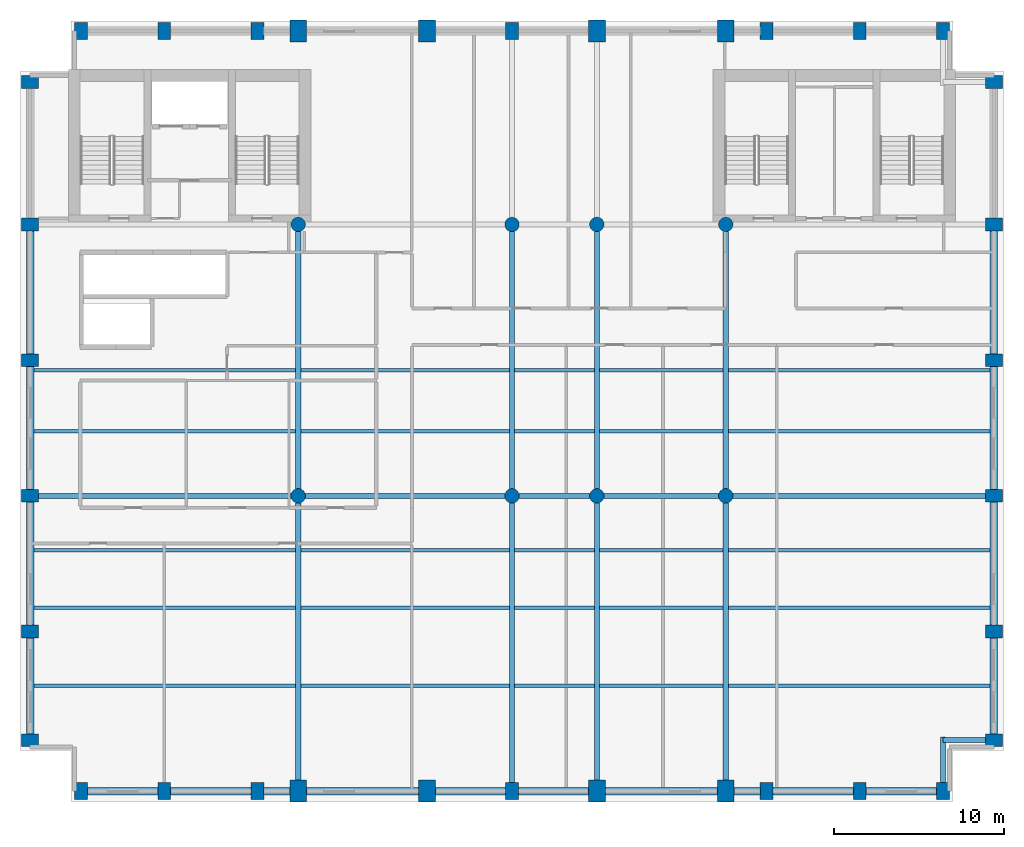
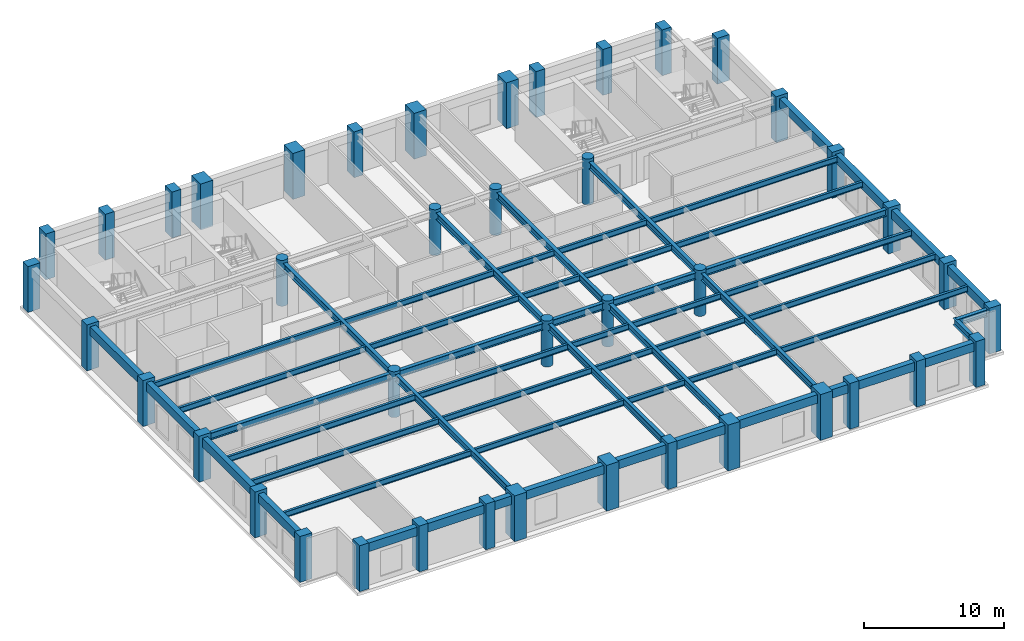
# One storey, part 1 of 8: 58 beams, 42 columns.
"""IFC4 building model written with IfcOpenShell, lengths in metres."""

from ifc_helpers import new_model, si_unit, direction, frame, origin, origin_2d, place, context, subcontext, project, spatial, rectangle, circle, i_section, extrude, material, material_profile, profile_set, type_object, element, save


model = new_model("IFC4")

# Units and contexts
model_context = context("Model", 3, precision=1e-05, world=origin(), true_north=direction((0.0, 1.0)))
body_context = subcontext(model_context, "Body", "Model", "MODEL_VIEW")
ifc_project = project(units=[si_unit("LENGTHUNIT", "METRE"), si_unit("AREAUNIT", "SQUARE_METRE"), si_unit("VOLUMEUNIT", "CUBIC_METRE"), si_unit("PLANEANGLEUNIT", "RADIAN"), si_unit("MASSUNIT", "GRAM", prefix="KILO")], contexts=[model_context])

# Site, building, storey
site_placement = place(None, origin())
site = spatial("IfcSite", under=ifc_project, at=site_placement, CompositionType="ELEMENT")
building_placement = place(site_placement, origin())
building = spatial("IfcBuilding", under=site, at=building_placement, Name="Sulina Concourse Tower", CompositionType="ELEMENT")
storey_placement = place(building_placement, frame((0.0, 0.0, 222.60009765625)))
storey = spatial("IfcBuildingStorey", under=building, at=storey_placement, Name="L54", CompositionType="ELEMENT", Elevation=222.60009765625)

# Columns
ifc_material_1 = material(Name="Precast concrete C50/60", Category="concrete")
ifc_material_profile_1 = material_profile(ifc_material_1, rectangle(XDim=0.75, YDim=1.0, at=origin_2d()), Name="PC 750x1000")
ifc_profile_set_1 = profile_set([ifc_material_profile_1], Name="Precast concrete C50/60")
column_type_1 = type_object("IfcColumnType", Name="Precast Tube Pier Zone 4 750x1000", PredefinedType="COLUMN", material=ifc_profile_set_1)
for number, where, z_axis, x_axis, name in (
    (1, (3.60009765625, 0.60009765625, 0.0), (0.0, 0.0, 1.0), (1.0, 0.0, 0.0), "L54 structural column TP-S-36"),
    (2, (3.60009765625, 45.39990234375, 0.0), (0.0, 0.0, 1.0), (1.0, 0.0, 0.0), "L54 structural column TP-N-36"),
    (3, (8.5, 0.60009765625, 0.0), (0.0, 0.0, 1.0), (1.0, 0.0, 0.0), "L54 structural column TP-S-85"),
    (4, (8.5, 45.39990234375, 0.0), (0.0, 0.0, 1.0), (1.0, 0.0, 0.0), "L54 structural column TP-N-85"),
    (5, (14.0, 0.60009765625, 0.0), (0.0, 0.0, 1.0), (1.0, 0.0, 0.0), "L54 structural column TP-S-140"),
    (6, (14.0, 45.39990234375, 0.0), (0.0, 0.0, 1.0), (1.0, 0.0, 0.0), "L54 structural column TP-N-140"),
    (7, (29.0, 0.60009765625, 0.0), (0.0, 0.0, 1.0), (1.0, 0.0, 0.0), "L54 structural column TP-S-290"),
    (8, (29.0, 45.39990234375, 0.0), (0.0, 0.0, 1.0), (1.0, 0.0, 0.0), "L54 structural column TP-N-290"),
    (9, (44.0, 0.60009765625, 0.0), (0.0, 0.0, 1.0), (1.0, 0.0, 0.0), "L54 structural column TP-S-440"),
    (10, (44.0, 45.39990234375, 0.0), (0.0, 0.0, 1.0), (1.0, 0.0, 0.0), "L54 structural column TP-N-440"),
    (11, (49.5, 0.60009765625, 0.0), (0.0, 0.0, 1.0), (1.0, 0.0, 0.0), "L54 structural column TP-S-495"),
    (12, (49.5, 45.39990234375, 0.0), (0.0, 0.0, 1.0), (1.0, 0.0, 0.0), "L54 structural column TP-N-495"),
    (13, (54.39990234375, 0.60009765625, 0.0), (0.0, 0.0, 1.0), (1.0, 0.0, 0.0), "L54 structural column TP-S-544"),
    (14, (54.39990234375, 45.39990234375, 0.0), (0.0, 0.0, 1.0), (1.0, 0.0, 0.0), "L54 structural column TP-N-544"),
    (15, (0.60009765625, 3.60009765625, 0.0), (0.0, 0.0, 1.0), (0.0, 1.0, 0.0), "L54 structural column TP-W-36"),
    (16, (57.39990234375, 3.60009765625, 0.0), (0.0, 0.0, 1.0), (0.0, 1.0, 0.0), "L54 structural column TP-E-36"),
    (17, (0.60009765625, 10.0, 0.0), (0.0, 0.0, 1.0), (0.0, 1.0, 0.0), "L54 structural column TP-W-100"),
    (18, (57.39990234375, 10.0, 0.0), (0.0, 0.0, 1.0), (0.0, 1.0, 0.0), "L54 structural column TP-E-100"),
    (19, (0.60009765625, 18.0, 0.0), (0.0, 0.0, 1.0), (0.0, 1.0, 0.0), "L54 structural column TP-W-180"),
    (20, (57.39990234375, 18.0, 0.0), (0.0, 0.0, 1.0), (0.0, 1.0, 0.0), "L54 structural column TP-E-180"),
    (21, (0.60009765625, 26.0, 0.0), (0.0, 0.0, 1.0), (0.0, 1.0, 0.0), "L54 structural column TP-W-260"),
    (22, (57.39990234375, 26.0, 0.0), (0.0, 0.0, 1.0), (0.0, 1.0, 0.0), "L54 structural column TP-E-260"),
    (23, (0.60009765625, 34.0, 0.0), (0.0, 0.0, 1.0), (0.0, 1.0, 0.0), "L54 structural column TP-W-340"),
    (24, (57.39990234375, 34.0, 0.0), (0.0, 0.0, 1.0), (0.0, 1.0, 0.0), "L54 structural column TP-E-340"),
    (25, (0.60009765625, 42.39990234375, 0.0), (0.0, 0.0, 1.0), (0.0, 1.0, 0.0), "L54 structural column TP-W-424"),
    (26, (57.39990234375, 42.39990234375, 0.0), (0.0, 0.0, 1.0), (0.0, 1.0, 0.0), "L54 structural column TP-E-424"),
):
    element("IfcColumn", number, at=place(storey_placement, frame(where, z_axis=z_axis, x_axis=x_axis)), inside=storey, type_object=column_type_1, Name=name, PredefinedType="COLUMN", context=body_context, shape_type="SweptSolid", body=[
        extrude(rectangle(XDim=0.75, YDim=1.0, at=origin_2d()), origin(), (0.0, 0.0, 1.0), 4.0),
    ])
ifc_material_2 = material(Name="Concrete C50/60", Category="concrete")
ifc_material_profile_2 = material_profile(ifc_material_2, circle(Radius=0.425048828125, at=origin_2d()), Name="RC D850")
ifc_profile_set_2 = profile_set([ifc_material_profile_2], Name="Concrete C50/60")
column_type_2 = type_object("IfcColumnType", Name="Upper Interior Circular Column D850", PredefinedType="COLUMN", material=ifc_profile_set_2)
for number, where, z_axis, x_axis, name in (
    (27, (16.39990234375, 18.0, 0.0), (0.0, 0.0, 1.0), (1.0, 0.0, 0.0), "L54 structural column IC-M-164"),
    (28, (16.39990234375, 34.0, 0.0), (0.0, 0.0, 1.0), (1.0, 0.0, 0.0), "L54 structural column IC-N-164"),
    (29, (29.0, 18.0, 0.0), (0.0, 0.0, 1.0), (1.0, 0.0, 0.0), "L54 structural column IC-M-290"),
    (30, (29.0, 34.0, 0.0), (0.0, 0.0, 1.0), (1.0, 0.0, 0.0), "L54 structural column IC-N-290"),
    (31, (41.60009765625, 18.0, 0.0), (0.0, 0.0, 1.0), (1.0, 0.0, 0.0), "L54 structural column IC-M-416"),
    (32, (41.60009765625, 34.0, 0.0), (0.0, 0.0, 1.0), (1.0, 0.0, 0.0), "L54 structural column IC-N-416"),
    (33, (34.0, 18.0, 0.0), (0.0, 0.0, 1.0), (1.0, 0.0, 0.0), "L54 structural column IC-M-340"),
    (34, (34.0, 34.0, 0.0), (0.0, 0.0, 1.0), (1.0, 0.0, 0.0), "L54 structural column IC-N-340"),
):
    element("IfcColumn", number, at=place(storey_placement, frame(where, z_axis=z_axis, x_axis=x_axis)), inside=storey, type_object=column_type_2, Name=name, PredefinedType="COLUMN", context=body_context, shape_type="SweptSolid", body=[
        extrude(circle(Radius=0.425048828125, at=origin_2d()), origin(), (0.0, 0.0, 1.0), 4.0),
    ])
ifc_material_3 = material(Name="Concrete C60/75", Category="concrete")
ifc_material_profile_3 = material_profile(ifc_material_3, rectangle(XDim=1.0, YDim=1.300048828125, at=origin_2d()), Name="RC 1000x1300")
ifc_profile_set_3 = profile_set([ifc_material_profile_3], Name="Concrete C60/75")
column_type_3 = type_object("IfcColumnType", Name="Upper Portal Column 1000x1300", PredefinedType="COLUMN", material=ifc_profile_set_3)
for number, where, z_axis, x_axis, name in (
    (35, (16.39990234375, 0.60009765625, 0.0), (0.0, 0.0, 1.0), (1.0, 0.0, 0.0), "L54 structural column TP-S-164"),
    (36, (16.39990234375, 45.39990234375, 0.0), (0.0, 0.0, 1.0), (1.0, 0.0, 0.0), "L54 structural column TP-N-164"),
    (37, (24.0, 0.60009765625, 0.0), (0.0, 0.0, 1.0), (1.0, 0.0, 0.0), "L54 structural column TP-S-240"),
    (38, (24.0, 45.39990234375, 0.0), (0.0, 0.0, 1.0), (1.0, 0.0, 0.0), "L54 structural column TP-N-240"),
    (39, (34.0, 0.60009765625, 0.0), (0.0, 0.0, 1.0), (1.0, 0.0, 0.0), "L54 structural column TP-S-340"),
    (40, (34.0, 45.39990234375, 0.0), (0.0, 0.0, 1.0), (1.0, 0.0, 0.0), "L54 structural column TP-N-340"),
    (41, (41.60009765625, 0.60009765625, 0.0), (0.0, 0.0, 1.0), (1.0, 0.0, 0.0), "L54 structural column TP-S-416"),
    (42, (41.60009765625, 45.39990234375, 0.0), (0.0, 0.0, 1.0), (1.0, 0.0, 0.0), "L54 structural column TP-N-416"),
):
    element("IfcColumn", number, at=place(storey_placement, frame(where, z_axis=z_axis, x_axis=x_axis)), inside=storey, type_object=column_type_3, Name=name, PredefinedType="COLUMN", context=body_context, shape_type="SweptSolid", body=[
        extrude(rectangle(XDim=1.0, YDim=1.300048828125, at=origin_2d()), origin(), (0.0, 0.0, 1.0), 4.0),
    ])

# Beams
ifc_material_4 = material(Name="Steel S355", Category="steel")
ifc_material_profile_4 = material_profile(ifc_material_4, i_section(OverallWidth=0.199951171875, OverallDepth=0.5, WebThickness=0.01025390625, FlangeThickness=0.01611328125, at=origin_2d()), Name="IPE 500")
ifc_profile_set_4 = profile_set([ifc_material_profile_4], Name="Steel S355")
beam_type_1 = type_object("IfcBeamType", Name="Composite Floor Joist IPE500", PredefinedType="JOIST", material=ifc_profile_set_4)
beam_1_placement = place(storey_placement, frame((0.824951171875, 6.800048828125, 3.5), z_axis=(1.0, 0.0, 0.0), x_axis=(0.0, 1.0, 0.0)))
element("IfcBeam", 43, at=beam_1_placement, inside=storey, type_object=beam_type_1, Name="FJ-J06-1-L54", PredefinedType="JOIST", context=body_context, shape_type="SweptSolid", body=[
    extrude(i_section(OverallWidth=0.199951171875, OverallDepth=0.5, WebThickness=0.01025390625, FlangeThickness=0.01611328125, at=origin_2d()), origin(), (0.0, 0.0, 1.0), 15.425048828125),
])
beam_2_placement = place(storey_placement, frame((16.550048828125, 6.800048828125, 3.5), z_axis=(1.0, 0.0, 0.0), x_axis=(0.0, 1.0, 0.0)))
element("IfcBeam", 44, at=beam_2_placement, inside=storey, type_object=beam_type_1, Name="FJ-J06-2-L54", PredefinedType="JOIST", context=body_context, shape_type="SweptSolid", body=[
    extrude(i_section(OverallWidth=0.199951171875, OverallDepth=0.5, WebThickness=0.01025390625, FlangeThickness=0.01611328125, at=origin_2d()), origin(), (0.0, 0.0, 1.0), 12.300048828125),
])
beam_3_placement = place(storey_placement, frame((29.14990234375, 6.800048828125, 3.5), z_axis=(1.0, 0.0, 0.0), x_axis=(0.0, 1.0, 0.0)))
element("IfcBeam", 45, at=beam_3_placement, inside=storey, type_object=beam_type_1, Name="FJ-J06-3-L54", PredefinedType="JOIST", context=body_context, shape_type="SweptSolid", body=[
    extrude(i_section(OverallWidth=0.199951171875, OverallDepth=0.5, WebThickness=0.01025390625, FlangeThickness=0.01611328125, at=origin_2d()), origin(), (0.0, 0.0, 1.0), 4.7001953125),
])
beam_4_placement = place(storey_placement, frame((34.14990234375, 6.800048828125, 3.5), z_axis=(1.0, 0.0, 0.0), x_axis=(0.0, 1.0, 0.0)))
element("IfcBeam", 46, at=beam_4_placement, inside=storey, type_object=beam_type_1, Name="FJ-J06-4-L54", PredefinedType="JOIST", context=body_context, shape_type="SweptSolid", body=[
    extrude(i_section(OverallWidth=0.199951171875, OverallDepth=0.5, WebThickness=0.01025390625, FlangeThickness=0.01611328125, at=origin_2d()), origin(), (0.0, 0.0, 1.0), 7.300048828125),
])
for number, where, z_axis, x_axis, name in (
    (47, (41.75, 6.800048828125, 3.5), (1.0, 0.0, 0.0), (0.0, 1.0, 0.0), "FJ-J06-5-L54"),
    (48, (0.824951171875, 11.39990234375, 3.5), (1.0, 0.0, 0.0), (0.0, 1.0, 0.0), "FJ-J11-1-L54"),
):
    element("IfcBeam", number, at=place(storey_placement, frame(where, z_axis=z_axis, x_axis=x_axis)), inside=storey, type_object=beam_type_1, Name=name, PredefinedType="JOIST", context=body_context, shape_type="SweptSolid", body=[
        extrude(i_section(OverallWidth=0.199951171875, OverallDepth=0.5, WebThickness=0.01025390625, FlangeThickness=0.01611328125, at=origin_2d()), origin(), (0.0, 0.0, 1.0), 15.425048828125),
    ])
beam_5_placement = place(storey_placement, frame((16.550048828125, 11.39990234375, 3.5), z_axis=(1.0, 0.0, 0.0), x_axis=(0.0, 1.0, 0.0)))
element("IfcBeam", 49, at=beam_5_placement, inside=storey, type_object=beam_type_1, Name="FJ-J11-2-L54", PredefinedType="JOIST", context=body_context, shape_type="SweptSolid", body=[
    extrude(i_section(OverallWidth=0.199951171875, OverallDepth=0.5, WebThickness=0.01025390625, FlangeThickness=0.01611328125, at=origin_2d()), origin(), (0.0, 0.0, 1.0), 12.300048828125),
])
beam_6_placement = place(storey_placement, frame((29.14990234375, 11.39990234375, 3.5), z_axis=(1.0, 0.0, 0.0), x_axis=(0.0, 1.0, 0.0)))
element("IfcBeam", 50, at=beam_6_placement, inside=storey, type_object=beam_type_1, Name="FJ-J11-3-L54", PredefinedType="JOIST", context=body_context, shape_type="SweptSolid", body=[
    extrude(i_section(OverallWidth=0.199951171875, OverallDepth=0.5, WebThickness=0.01025390625, FlangeThickness=0.01611328125, at=origin_2d()), origin(), (0.0, 0.0, 1.0), 4.7001953125),
])
beam_7_placement = place(storey_placement, frame((34.14990234375, 11.39990234375, 3.5), z_axis=(1.0, 0.0, 0.0), x_axis=(0.0, 1.0, 0.0)))
element("IfcBeam", 51, at=beam_7_placement, inside=storey, type_object=beam_type_1, Name="FJ-J11-4-L54", PredefinedType="JOIST", context=body_context, shape_type="SweptSolid", body=[
    extrude(i_section(OverallWidth=0.199951171875, OverallDepth=0.5, WebThickness=0.01025390625, FlangeThickness=0.01611328125, at=origin_2d()), origin(), (0.0, 0.0, 1.0), 7.300048828125),
])
for number, where, z_axis, x_axis, name in (
    (52, (41.75, 11.39990234375, 3.5), (1.0, 0.0, 0.0), (0.0, 1.0, 0.0), "FJ-J11-5-L54"),
    (53, (0.824951171875, 14.800048828125, 3.5), (1.0, 0.0, 0.0), (0.0, 1.0, 0.0), "FJ-J15-1-L54"),
):
    element("IfcBeam", number, at=place(storey_placement, frame(where, z_axis=z_axis, x_axis=x_axis)), inside=storey, type_object=beam_type_1, Name=name, PredefinedType="JOIST", context=body_context, shape_type="SweptSolid", body=[
        extrude(i_section(OverallWidth=0.199951171875, OverallDepth=0.5, WebThickness=0.01025390625, FlangeThickness=0.01611328125, at=origin_2d()), origin(), (0.0, 0.0, 1.0), 15.425048828125),
    ])
beam_8_placement = place(storey_placement, frame((16.550048828125, 14.800048828125, 3.5), z_axis=(1.0, 0.0, 0.0), x_axis=(0.0, 1.0, 0.0)))
element("IfcBeam", 54, at=beam_8_placement, inside=storey, type_object=beam_type_1, Name="FJ-J15-2-L54", PredefinedType="JOIST", context=body_context, shape_type="SweptSolid", body=[
    extrude(i_section(OverallWidth=0.199951171875, OverallDepth=0.5, WebThickness=0.01025390625, FlangeThickness=0.01611328125, at=origin_2d()), origin(), (0.0, 0.0, 1.0), 12.300048828125),
])
beam_9_placement = place(storey_placement, frame((29.14990234375, 14.800048828125, 3.5), z_axis=(1.0, 0.0, 0.0), x_axis=(0.0, 1.0, 0.0)))
element("IfcBeam", 55, at=beam_9_placement, inside=storey, type_object=beam_type_1, Name="FJ-J15-3-L54", PredefinedType="JOIST", context=body_context, shape_type="SweptSolid", body=[
    extrude(i_section(OverallWidth=0.199951171875, OverallDepth=0.5, WebThickness=0.01025390625, FlangeThickness=0.01611328125, at=origin_2d()), origin(), (0.0, 0.0, 1.0), 4.7001953125),
])
beam_10_placement = place(storey_placement, frame((34.14990234375, 14.800048828125, 3.5), z_axis=(1.0, 0.0, 0.0), x_axis=(0.0, 1.0, 0.0)))
element("IfcBeam", 56, at=beam_10_placement, inside=storey, type_object=beam_type_1, Name="FJ-J15-4-L54", PredefinedType="JOIST", context=body_context, shape_type="SweptSolid", body=[
    extrude(i_section(OverallWidth=0.199951171875, OverallDepth=0.5, WebThickness=0.01025390625, FlangeThickness=0.01611328125, at=origin_2d()), origin(), (0.0, 0.0, 1.0), 7.300048828125),
])
for number, where, z_axis, x_axis, name in (
    (57, (41.75, 14.800048828125, 3.5), (1.0, 0.0, 0.0), (0.0, 1.0, 0.0), "FJ-J15-5-L54"),
    (58, (0.824951171875, 21.800048828125, 3.5), (1.0, 0.0, 0.0), (0.0, 1.0, 0.0), "FJ-J22-1-L54"),
):
    element("IfcBeam", number, at=place(storey_placement, frame(where, z_axis=z_axis, x_axis=x_axis)), inside=storey, type_object=beam_type_1, Name=name, PredefinedType="JOIST", context=body_context, shape_type="SweptSolid", body=[
        extrude(i_section(OverallWidth=0.199951171875, OverallDepth=0.5, WebThickness=0.01025390625, FlangeThickness=0.01611328125, at=origin_2d()), origin(), (0.0, 0.0, 1.0), 15.425048828125),
    ])
beam_11_placement = place(storey_placement, frame((16.550048828125, 21.800048828125, 3.5), z_axis=(1.0, 0.0, 0.0), x_axis=(0.0, 1.0, 0.0)))
element("IfcBeam", 59, at=beam_11_placement, inside=storey, type_object=beam_type_1, Name="FJ-J22-2-L54", PredefinedType="JOIST", context=body_context, shape_type="SweptSolid", body=[
    extrude(i_section(OverallWidth=0.199951171875, OverallDepth=0.5, WebThickness=0.01025390625, FlangeThickness=0.01611328125, at=origin_2d()), origin(), (0.0, 0.0, 1.0), 12.300048828125),
])
beam_12_placement = place(storey_placement, frame((29.14990234375, 21.800048828125, 3.5), z_axis=(1.0, 0.0, 0.0), x_axis=(0.0, 1.0, 0.0)))
element("IfcBeam", 60, at=beam_12_placement, inside=storey, type_object=beam_type_1, Name="FJ-J22-3-L54", PredefinedType="JOIST", context=body_context, shape_type="SweptSolid", body=[
    extrude(i_section(OverallWidth=0.199951171875, OverallDepth=0.5, WebThickness=0.01025390625, FlangeThickness=0.01611328125, at=origin_2d()), origin(), (0.0, 0.0, 1.0), 4.7001953125),
])
beam_13_placement = place(storey_placement, frame((34.14990234375, 21.800048828125, 3.5), z_axis=(1.0, 0.0, 0.0), x_axis=(0.0, 1.0, 0.0)))
element("IfcBeam", 61, at=beam_13_placement, inside=storey, type_object=beam_type_1, Name="FJ-J22-4-L54", PredefinedType="JOIST", context=body_context, shape_type="SweptSolid", body=[
    extrude(i_section(OverallWidth=0.199951171875, OverallDepth=0.5, WebThickness=0.01025390625, FlangeThickness=0.01611328125, at=origin_2d()), origin(), (0.0, 0.0, 1.0), 7.300048828125),
])
for number, where, z_axis, x_axis, name in (
    (62, (41.75, 21.800048828125, 3.5), (1.0, 0.0, 0.0), (0.0, 1.0, 0.0), "FJ-J22-5-L54"),
    (63, (0.824951171875, 25.39990234375, 3.5), (1.0, 0.0, 0.0), (0.0, 1.0, 0.0), "FJ-J25-1-L54"),
):
    element("IfcBeam", number, at=place(storey_placement, frame(where, z_axis=z_axis, x_axis=x_axis)), inside=storey, type_object=beam_type_1, Name=name, PredefinedType="JOIST", context=body_context, shape_type="SweptSolid", body=[
        extrude(i_section(OverallWidth=0.199951171875, OverallDepth=0.5, WebThickness=0.01025390625, FlangeThickness=0.01611328125, at=origin_2d()), origin(), (0.0, 0.0, 1.0), 15.425048828125),
    ])
beam_14_placement = place(storey_placement, frame((16.550048828125, 25.39990234375, 3.5), z_axis=(1.0, 0.0, 0.0), x_axis=(0.0, 1.0, 0.0)))
element("IfcBeam", 64, at=beam_14_placement, inside=storey, type_object=beam_type_1, Name="FJ-J25-2-L54", PredefinedType="JOIST", context=body_context, shape_type="SweptSolid", body=[
    extrude(i_section(OverallWidth=0.199951171875, OverallDepth=0.5, WebThickness=0.01025390625, FlangeThickness=0.01611328125, at=origin_2d()), origin(), (0.0, 0.0, 1.0), 12.300048828125),
])
beam_15_placement = place(storey_placement, frame((29.14990234375, 25.39990234375, 3.5), z_axis=(1.0, 0.0, 0.0), x_axis=(0.0, 1.0, 0.0)))
element("IfcBeam", 65, at=beam_15_placement, inside=storey, type_object=beam_type_1, Name="FJ-J25-3-L54", PredefinedType="JOIST", context=body_context, shape_type="SweptSolid", body=[
    extrude(i_section(OverallWidth=0.199951171875, OverallDepth=0.5, WebThickness=0.01025390625, FlangeThickness=0.01611328125, at=origin_2d()), origin(), (0.0, 0.0, 1.0), 4.7001953125),
])
beam_16_placement = place(storey_placement, frame((34.14990234375, 25.39990234375, 3.5), z_axis=(1.0, 0.0, 0.0), x_axis=(0.0, 1.0, 0.0)))
element("IfcBeam", 66, at=beam_16_placement, inside=storey, type_object=beam_type_1, Name="FJ-J25-4-L54", PredefinedType="JOIST", context=body_context, shape_type="SweptSolid", body=[
    extrude(i_section(OverallWidth=0.199951171875, OverallDepth=0.5, WebThickness=0.01025390625, FlangeThickness=0.01611328125, at=origin_2d()), origin(), (0.0, 0.0, 1.0), 7.300048828125),
])
beam_17_placement = place(storey_placement, frame((41.75, 25.39990234375, 3.5), z_axis=(1.0, 0.0, 0.0), x_axis=(0.0, 1.0, 0.0)))
element("IfcBeam", 67, at=beam_17_placement, inside=storey, type_object=beam_type_1, Name="FJ-J25-5-L54", PredefinedType="JOIST", context=body_context, shape_type="SweptSolid", body=[
    extrude(i_section(OverallWidth=0.199951171875, OverallDepth=0.5, WebThickness=0.01025390625, FlangeThickness=0.01611328125, at=origin_2d()), origin(), (0.0, 0.0, 1.0), 15.425048828125),
])
ifc_material_5 = material(Name="Steel S355", Category="steel")
ifc_material_profile_5 = material_profile(ifc_material_5, i_section(OverallWidth=0.300048828125, OverallDepth=0.60009765625, WebThickness=0.015380859375, FlangeThickness=0.030029296875, at=origin_2d()), Name="HE 600 B")
ifc_profile_set_5 = profile_set([ifc_material_profile_5], Name="Steel S355")
beam_type_2 = type_object("IfcBeamType", Name="Floor Primary Girder Zone 3 HE600B", PredefinedType="BEAM", material=ifc_profile_set_5)
beam_18_placement = place(storey_placement, frame((54.39990234375, 3.60009765625, 3.449951171875), z_axis=(1.0, 0.0, 0.0), x_axis=(0.0, 1.0, 0.0)))
element("IfcBeam", 68, at=beam_18_placement, inside=storey, type_object=beam_type_2, Name="TIE-SE-L54", PredefinedType="BEAM", context=body_context, shape_type="SweptSolid", body=[
    extrude(i_section(OverallWidth=0.300048828125, OverallDepth=0.60009765625, WebThickness=0.015380859375, FlangeThickness=0.030029296875, at=origin_2d()), origin(), (0.0, 0.0, 1.0), 2.64501953125),
])
beam_19_placement = place(storey_placement, frame((54.39990234375, 0.955078125, 3.449951171875), z_axis=(0.0, 1.0, 0.0), x_axis=(-1.0, 0.0, 0.0)))
element("IfcBeam", 69, at=beam_19_placement, inside=storey, type_object=beam_type_2, Name="TIE-SES-L54", PredefinedType="BEAM", context=body_context, shape_type="SweptSolid", body=[
    extrude(i_section(OverallWidth=0.300048828125, OverallDepth=0.60009765625, WebThickness=0.015380859375, FlangeThickness=0.030029296875, at=origin_2d()), origin(), (0.0, 0.0, 1.0), 2.844970703125),
])
beam_20_placement = place(storey_placement, frame((0.955078125, 18.0, 3.449951171875), z_axis=(1.0, 0.0, 0.0), x_axis=(0.0, 1.0, 0.0)))
element("IfcBeam", 70, at=beam_20_placement, inside=storey, type_object=beam_type_2, Name="FG-EW1-L54", PredefinedType="BEAM", context=body_context, shape_type="SweptSolid", body=[
    extrude(i_section(OverallWidth=0.300048828125, OverallDepth=0.60009765625, WebThickness=0.015380859375, FlangeThickness=0.030029296875, at=origin_2d()), origin(), (0.0, 0.0, 1.0), 15.0400390625),
])
beam_21_placement = place(storey_placement, frame((16.804931640625, 18.0, 3.449951171875), z_axis=(1.0, 0.0, 0.0), x_axis=(0.0, 1.0, 0.0)))
element("IfcBeam", 71, at=beam_21_placement, inside=storey, type_object=beam_type_2, Name="FG-EW2-L54", PredefinedType="BEAM", context=body_context, shape_type="SweptSolid", body=[
    extrude(i_section(OverallWidth=0.300048828125, OverallDepth=0.60009765625, WebThickness=0.015380859375, FlangeThickness=0.030029296875, at=origin_2d()), origin(), (0.0, 0.0, 1.0), 11.7900390625),
])
beam_22_placement = place(storey_placement, frame((29.405029296875, 18.0, 3.449951171875), z_axis=(1.0, 0.0, 0.0), x_axis=(0.0, 1.0, 0.0)))
element("IfcBeam", 72, at=beam_22_placement, inside=storey, type_object=beam_type_2, Name="FG-EW3-L54", PredefinedType="BEAM", context=body_context, shape_type="SweptSolid", body=[
    extrude(i_section(OverallWidth=0.300048828125, OverallDepth=0.60009765625, WebThickness=0.015380859375, FlangeThickness=0.030029296875, at=origin_2d()), origin(), (0.0, 0.0, 1.0), 4.18994140625),
])
beam_23_placement = place(storey_placement, frame((34.405029296875, 18.0, 3.449951171875), z_axis=(1.0, 0.0, 0.0), x_axis=(0.0, 1.0, 0.0)))
element("IfcBeam", 73, at=beam_23_placement, inside=storey, type_object=beam_type_2, Name="FG-EW4-L54", PredefinedType="BEAM", context=body_context, shape_type="SweptSolid", body=[
    extrude(i_section(OverallWidth=0.300048828125, OverallDepth=0.60009765625, WebThickness=0.015380859375, FlangeThickness=0.030029296875, at=origin_2d()), origin(), (0.0, 0.0, 1.0), 6.7900390625),
])
beam_24_placement = place(storey_placement, frame((42.0048828125, 18.0, 3.449951171875), z_axis=(1.0, 0.0, 0.0), x_axis=(0.0, 1.0, 0.0)))
element("IfcBeam", 74, at=beam_24_placement, inside=storey, type_object=beam_type_2, Name="FG-EW5-L54", PredefinedType="BEAM", context=body_context, shape_type="SweptSolid", body=[
    extrude(i_section(OverallWidth=0.300048828125, OverallDepth=0.60009765625, WebThickness=0.015380859375, FlangeThickness=0.030029296875, at=origin_2d()), origin(), (0.0, 0.0, 1.0), 15.0400390625),
])
beam_25_placement = place(storey_placement, frame((16.39990234375, 1.080078125, 3.449951171875), z_axis=(0.0, 1.0, 0.0), x_axis=(-1.0, 0.0, 0.0)))
element("IfcBeam", 75, at=beam_25_placement, inside=storey, type_object=beam_type_2, Name="FG-NSA-16-L54", PredefinedType="BEAM", context=body_context, shape_type="SweptSolid", body=[
    extrude(i_section(OverallWidth=0.300048828125, OverallDepth=0.60009765625, WebThickness=0.015380859375, FlangeThickness=0.030029296875, at=origin_2d()), origin(), (0.0, 0.0, 1.0), 16.514892578125),
])
beam_26_placement = place(storey_placement, frame((16.39990234375, 18.405029296875, 3.449951171875), z_axis=(0.0, 1.0, 0.0), x_axis=(-1.0, 0.0, 0.0)))
element("IfcBeam", 76, at=beam_26_placement, inside=storey, type_object=beam_type_2, Name="FG-NSB-16-L54", PredefinedType="BEAM", context=body_context, shape_type="SweptSolid", body=[
    extrude(i_section(OverallWidth=0.300048828125, OverallDepth=0.60009765625, WebThickness=0.015380859375, FlangeThickness=0.030029296875, at=origin_2d()), origin(), (0.0, 0.0, 1.0), 15.18994140625),
])
beam_27_placement = place(storey_placement, frame((29.0, 0.955078125, 3.449951171875), z_axis=(0.0, 1.0, 0.0), x_axis=(-1.0, 0.0, 0.0)))
element("IfcBeam", 77, at=beam_27_placement, inside=storey, type_object=beam_type_2, Name="FG-NSA-29-L54", PredefinedType="BEAM", context=body_context, shape_type="SweptSolid", body=[
    extrude(i_section(OverallWidth=0.300048828125, OverallDepth=0.60009765625, WebThickness=0.015380859375, FlangeThickness=0.030029296875, at=origin_2d()), origin(), (0.0, 0.0, 1.0), 16.639892578125),
])
beam_28_placement = place(storey_placement, frame((29.0, 18.405029296875, 3.449951171875), z_axis=(0.0, 1.0, 0.0), x_axis=(-1.0, 0.0, 0.0)))
element("IfcBeam", 78, at=beam_28_placement, inside=storey, type_object=beam_type_2, Name="FG-NSB-29-L54", PredefinedType="BEAM", context=body_context, shape_type="SweptSolid", body=[
    extrude(i_section(OverallWidth=0.300048828125, OverallDepth=0.60009765625, WebThickness=0.015380859375, FlangeThickness=0.030029296875, at=origin_2d()), origin(), (0.0, 0.0, 1.0), 15.18994140625),
])
beam_29_placement = place(storey_placement, frame((34.0, 1.080078125, 3.449951171875), z_axis=(0.0, 1.0, 0.0), x_axis=(-1.0, 0.0, 0.0)))
element("IfcBeam", 79, at=beam_29_placement, inside=storey, type_object=beam_type_2, Name="FG-NSA-34-L54", PredefinedType="BEAM", context=body_context, shape_type="SweptSolid", body=[
    extrude(i_section(OverallWidth=0.300048828125, OverallDepth=0.60009765625, WebThickness=0.015380859375, FlangeThickness=0.030029296875, at=origin_2d()), origin(), (0.0, 0.0, 1.0), 16.514892578125),
])
beam_30_placement = place(storey_placement, frame((34.0, 18.405029296875, 3.449951171875), z_axis=(0.0, 1.0, 0.0), x_axis=(-1.0, 0.0, 0.0)))
element("IfcBeam", 80, at=beam_30_placement, inside=storey, type_object=beam_type_2, Name="FG-NSB-34-L54", PredefinedType="BEAM", context=body_context, shape_type="SweptSolid", body=[
    extrude(i_section(OverallWidth=0.300048828125, OverallDepth=0.60009765625, WebThickness=0.015380859375, FlangeThickness=0.030029296875, at=origin_2d()), origin(), (0.0, 0.0, 1.0), 15.18994140625),
])
beam_31_placement = place(storey_placement, frame((41.60009765625, 1.080078125, 3.449951171875), z_axis=(0.0, 1.0, 0.0), x_axis=(-1.0, 0.0, 0.0)))
element("IfcBeam", 81, at=beam_31_placement, inside=storey, type_object=beam_type_2, Name="FG-NSA-41-L54", PredefinedType="BEAM", context=body_context, shape_type="SweptSolid", body=[
    extrude(i_section(OverallWidth=0.300048828125, OverallDepth=0.60009765625, WebThickness=0.015380859375, FlangeThickness=0.030029296875, at=origin_2d()), origin(), (0.0, 0.0, 1.0), 16.514892578125),
])
beam_32_placement = place(storey_placement, frame((41.60009765625, 18.405029296875, 3.449951171875), z_axis=(0.0, 1.0, 0.0), x_axis=(-1.0, 0.0, 0.0)))
element("IfcBeam", 82, at=beam_32_placement, inside=storey, type_object=beam_type_2, Name="FG-NSB-41-L54", PredefinedType="BEAM", context=body_context, shape_type="SweptSolid", body=[
    extrude(i_section(OverallWidth=0.300048828125, OverallDepth=0.60009765625, WebThickness=0.015380859375, FlangeThickness=0.030029296875, at=origin_2d()), origin(), (0.0, 0.0, 1.0), 15.18994140625),
])
ifc_material_6 = material(Name="Precast concrete C50/60", Category="concrete")
ifc_material_profile_6 = material_profile(ifc_material_6, rectangle(XDim=0.449951171875, YDim=0.75, at=origin_2d()), Name="RC 450x750")
ifc_profile_set_6 = profile_set([ifc_material_profile_6], Name="Precast concrete C50/60")
beam_type_3 = type_object("IfcBeamType", Name="Upper Precast Spandrel Edge Beam 450x750", PredefinedType="BEAM", material=ifc_profile_set_6)
beam_33_placement = place(storey_placement, frame((3.955078125, 0.60009765625, 3.375), z_axis=(1.0, 0.0, 0.0), x_axis=(0.0, 1.0, 0.0)))
element("IfcBeam", 83, at=beam_33_placement, inside=storey, type_object=beam_type_3, Name="SP-S1-L54", PredefinedType="BEAM", context=body_context, shape_type="SweptSolid", body=[
    extrude(rectangle(XDim=0.449951171875, YDim=0.75, at=origin_2d()), origin(), (0.0, 0.0, 1.0), 4.18994140625),
])
beam_34_placement = place(storey_placement, frame((8.85498046875, 0.60009765625, 3.375), z_axis=(1.0, 0.0, 0.0), x_axis=(0.0, 1.0, 0.0)))
element("IfcBeam", 84, at=beam_34_placement, inside=storey, type_object=beam_type_3, Name="SP-S2-L54", PredefinedType="BEAM", context=body_context, shape_type="SweptSolid", body=[
    extrude(rectangle(XDim=0.449951171875, YDim=0.75, at=origin_2d()), origin(), (0.0, 0.0, 1.0), 4.7900390625),
])
beam_35_placement = place(storey_placement, frame((14.35498046875, 0.60009765625, 3.375), z_axis=(1.0, 0.0, 0.0), x_axis=(0.0, 1.0, 0.0)))
element("IfcBeam", 85, at=beam_35_placement, inside=storey, type_object=beam_type_3, Name="SP-S3-L54", PredefinedType="BEAM", context=body_context, shape_type="SweptSolid", body=[
    extrude(rectangle(XDim=0.449951171875, YDim=0.75, at=origin_2d()), origin(), (0.0, 0.0, 1.0), 1.56494140625),
])
beam_36_placement = place(storey_placement, frame((16.8798828125, 0.60009765625, 3.375), z_axis=(1.0, 0.0, 0.0), x_axis=(0.0, 1.0, 0.0)))
element("IfcBeam", 86, at=beam_36_placement, inside=storey, type_object=beam_type_3, Name="SP-S4-L54", PredefinedType="BEAM", context=body_context, shape_type="SweptSolid", body=[
    extrude(rectangle(XDim=0.449951171875, YDim=0.75, at=origin_2d()), origin(), (0.0, 0.0, 1.0), 6.64013671875),
])
for number, where, z_axis, x_axis, name in (
    (87, (24.47998046875, 0.60009765625, 3.375), (1.0, 0.0, 0.0), (0.0, 1.0, 0.0), "SP-S5-L54"),
    (88, (29.35498046875, 0.60009765625, 3.375), (1.0, 0.0, 0.0), (0.0, 1.0, 0.0), "SP-S6-L54"),
):
    element("IfcBeam", number, at=place(storey_placement, frame(where, z_axis=z_axis, x_axis=x_axis)), inside=storey, type_object=beam_type_3, Name=name, PredefinedType="BEAM", context=body_context, shape_type="SweptSolid", body=[
        extrude(rectangle(XDim=0.449951171875, YDim=0.75, at=origin_2d()), origin(), (0.0, 0.0, 1.0), 4.1650390625),
    ])
beam_37_placement = place(storey_placement, frame((34.47998046875, 0.60009765625, 3.375), z_axis=(1.0, 0.0, 0.0), x_axis=(0.0, 1.0, 0.0)))
element("IfcBeam", 89, at=beam_37_placement, inside=storey, type_object=beam_type_3, Name="SP-S7-L54", PredefinedType="BEAM", context=body_context, shape_type="SweptSolid", body=[
    extrude(rectangle(XDim=0.449951171875, YDim=0.75, at=origin_2d()), origin(), (0.0, 0.0, 1.0), 6.64013671875),
])
beam_38_placement = place(storey_placement, frame((42.080078125, 0.60009765625, 3.375), z_axis=(1.0, 0.0, 0.0), x_axis=(0.0, 1.0, 0.0)))
element("IfcBeam", 90, at=beam_38_placement, inside=storey, type_object=beam_type_3, Name="SP-S8-L54", PredefinedType="BEAM", context=body_context, shape_type="SweptSolid", body=[
    extrude(rectangle(XDim=0.449951171875, YDim=0.75, at=origin_2d()), origin(), (0.0, 0.0, 1.0), 1.56494140625),
])
beam_39_placement = place(storey_placement, frame((44.35498046875, 0.60009765625, 3.375), z_axis=(1.0, 0.0, 0.0), x_axis=(0.0, 1.0, 0.0)))
element("IfcBeam", 91, at=beam_39_placement, inside=storey, type_object=beam_type_3, Name="SP-S9-L54", PredefinedType="BEAM", context=body_context, shape_type="SweptSolid", body=[
    extrude(rectangle(XDim=0.449951171875, YDim=0.75, at=origin_2d()), origin(), (0.0, 0.0, 1.0), 4.7900390625),
])
beam_40_placement = place(storey_placement, frame((49.85498046875, 0.60009765625, 3.375), z_axis=(1.0, 0.0, 0.0), x_axis=(0.0, 1.0, 0.0)))
element("IfcBeam", 92, at=beam_40_placement, inside=storey, type_object=beam_type_3, Name="SP-S10-L54", PredefinedType="BEAM", context=body_context, shape_type="SweptSolid", body=[
    extrude(rectangle(XDim=0.449951171875, YDim=0.75, at=origin_2d()), origin(), (0.0, 0.0, 1.0), 4.18994140625),
])
beam_41_placement = place(storey_placement, frame((0.60009765625, 3.955078125, 3.375), z_axis=(0.0, 1.0, 0.0), x_axis=(-1.0, 0.0, 0.0)))
element("IfcBeam", 93, at=beam_41_placement, inside=storey, type_object=beam_type_3, Name="SP-W1-L54", PredefinedType="BEAM", context=body_context, shape_type="SweptSolid", body=[
    extrude(rectangle(XDim=0.449951171875, YDim=0.75, at=origin_2d()), origin(), (0.0, 0.0, 1.0), 5.68994140625),
])
for number, where, z_axis, x_axis, name in (
    (94, (0.60009765625, 10.35498046875, 3.375), (0.0, 1.0, 0.0), (-1.0, 0.0, 0.0), "SP-W2-L54"),
    (95, (0.60009765625, 18.35498046875, 3.375), (0.0, 1.0, 0.0), (-1.0, 0.0, 0.0), "SP-W3-L54"),
    (96, (0.60009765625, 26.35498046875, 3.375), (0.0, 1.0, 0.0), (-1.0, 0.0, 0.0), "SP-W4-L54"),
):
    element("IfcBeam", number, at=place(storey_placement, frame(where, z_axis=z_axis, x_axis=x_axis)), inside=storey, type_object=beam_type_3, Name=name, PredefinedType="BEAM", context=body_context, shape_type="SweptSolid", body=[
        extrude(rectangle(XDim=0.449951171875, YDim=0.75, at=origin_2d()), origin(), (0.0, 0.0, 1.0), 7.2900390625),
    ])
beam_42_placement = place(storey_placement, frame((57.39990234375, 3.955078125, 3.375), z_axis=(0.0, 1.0, 0.0), x_axis=(-1.0, 0.0, 0.0)))
element("IfcBeam", 97, at=beam_42_placement, inside=storey, type_object=beam_type_3, Name="SP-E1-L54", PredefinedType="BEAM", context=body_context, shape_type="SweptSolid", body=[
    extrude(rectangle(XDim=0.449951171875, YDim=0.75, at=origin_2d()), origin(), (0.0, 0.0, 1.0), 5.68994140625),
])
for number, where, z_axis, x_axis, name in (
    (98, (57.39990234375, 10.35498046875, 3.375), (0.0, 1.0, 0.0), (-1.0, 0.0, 0.0), "SP-E2-L54"),
    (99, (57.39990234375, 18.35498046875, 3.375), (0.0, 1.0, 0.0), (-1.0, 0.0, 0.0), "SP-E3-L54"),
    (100, (57.39990234375, 26.35498046875, 3.375), (0.0, 1.0, 0.0), (-1.0, 0.0, 0.0), "SP-E4-L54"),
):
    element("IfcBeam", number, at=place(storey_placement, frame(where, z_axis=z_axis, x_axis=x_axis)), inside=storey, type_object=beam_type_3, Name=name, PredefinedType="BEAM", context=body_context, shape_type="SweptSolid", body=[
        extrude(rectangle(XDim=0.449951171875, YDim=0.75, at=origin_2d()), origin(), (0.0, 0.0, 1.0), 7.2900390625),
    ])

save(model, "model.ifc")
